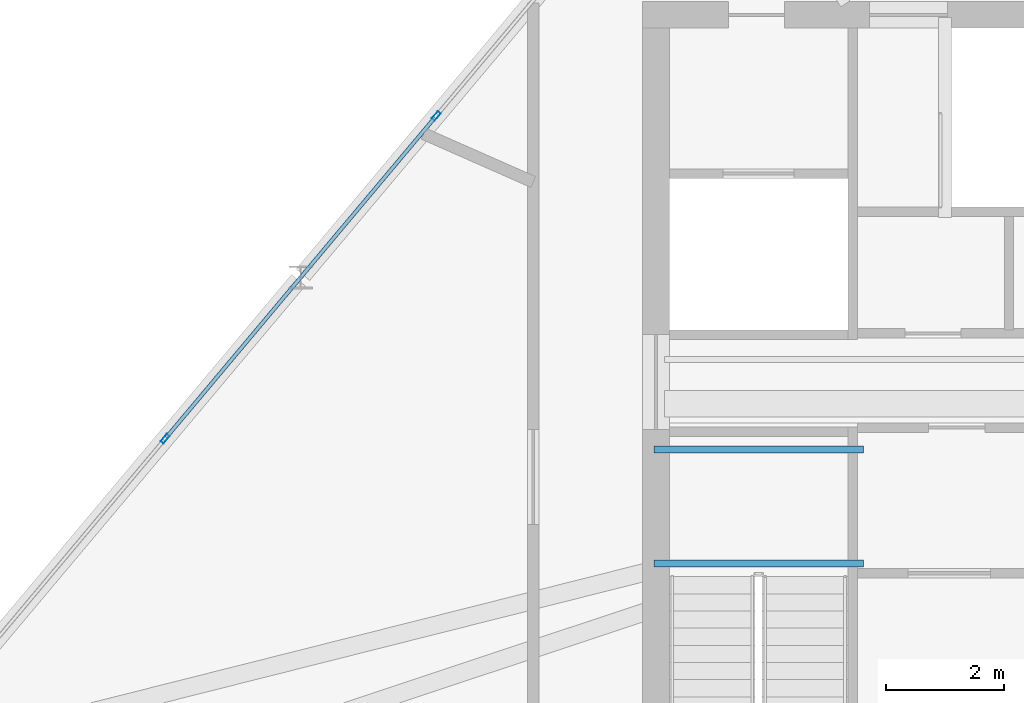
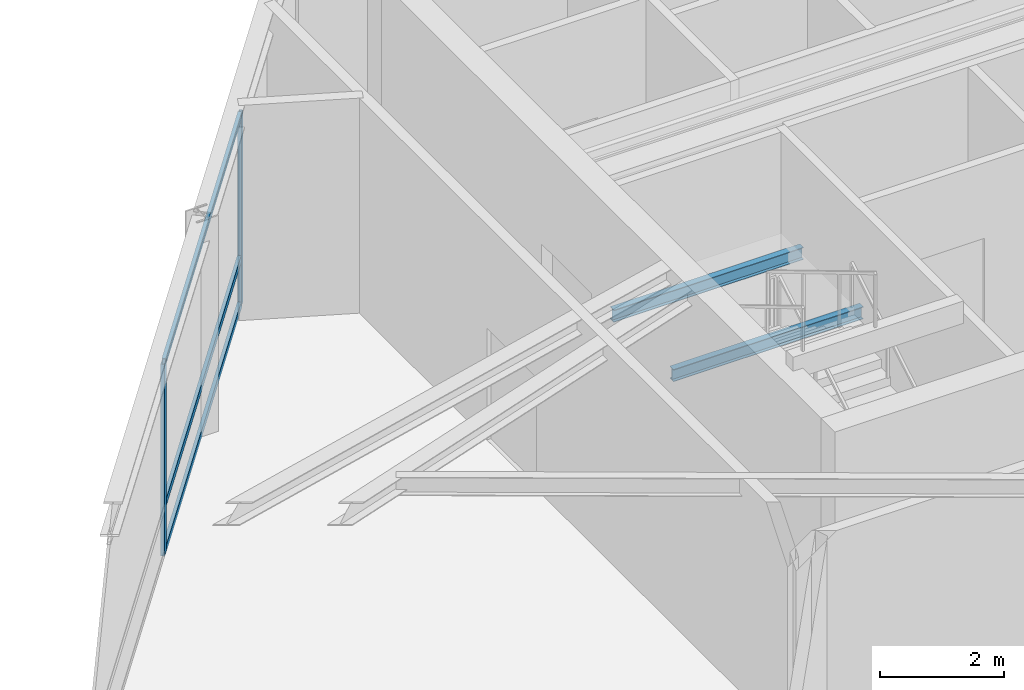
# One storey, part 6 of 23: 5 members, 2 beams, 1 element without a shape of its own.
"""IFC4 building model written with IfcOpenShell, lengths in metres."""

from ifc_helpers import new_model, si_unit, direction, frame, origin, origin_2d, place, context, subcontext, project, spatial, hollow_rectangle, i_section, extrude, source, transform, mapped, material, material_profile, profile_set, type_object, element, aggregate, save


model = new_model("IFC4")

# Units and contexts
model_context = context("Model", 3, precision=1e-05, world=origin(), true_north=direction((0.0, 1.0)))
body_context = subcontext(model_context, "Body", "Model", "MODEL_VIEW")
ifc_project = project(units=[si_unit("LENGTHUNIT", "METRE"), si_unit("AREAUNIT", "SQUARE_METRE"), si_unit("VOLUMEUNIT", "CUBIC_METRE"), si_unit("PLANEANGLEUNIT", "RADIAN"), si_unit("MASSUNIT", "GRAM", prefix="KILO")], contexts=[model_context])

# Site, building, storey
site_placement = place(None, origin())
site = spatial("IfcSite", under=ifc_project, at=site_placement, CompositionType="ELEMENT")
building_placement = place(site_placement, origin())
building = spatial("IfcBuilding", under=site, at=building_placement, Name="Olszyna Solenne Hotel", CompositionType="ELEMENT")
storey_placement = place(building_placement, frame((0.0, 0.0, 290.5)))
storey = spatial("IfcBuildingStorey", under=building, at=storey_placement, Name="L77", CompositionType="ELEMENT", Elevation=290.5)

# Curtain wall, members
ifc_material_1 = material(Name="Anodised bronze aluminium", Category="aluminium")
curtain_wall_type = type_object("IfcCurtainWallType", Name="CW-SYS-7", PredefinedType="NOTDEFINED", material=ifc_material_1)
curtain_wall_placement = place(storey_placement, origin())
curtain_wall = element("IfcCurtainWall", 1, at=curtain_wall_placement, inside=storey, type_object=curtain_wall_type, Name="Unitised curtain wall CW-SYS-7 CW-L77-02", PredefinedType="NOTDEFINED")
ifc_material_profile_1 = material_profile(ifc_material_1, hollow_rectangle(XDim=0.06494140625, YDim=0.159912109375, WallThickness=0.00390625, at=origin_2d()), Name="MULL 160x65x4", Category="load-bearing")
ifc_profile_set_1 = profile_set([ifc_material_profile_1], Name="Anodised bronze aluminium")
member_type_1 = type_object("IfcMemberType", Name="CW-M3", PredefinedType="MULLION", material=ifc_profile_set_1)
shared_shape_1 = source(origin(), body_context, "Body", "SweptSolid", [
    extrude(hollow_rectangle(XDim=0.06494140625, YDim=0.159912109375, WallThickness=0.00390625, at=origin_2d()), origin(), (0.0, 0.0, 1.0), 3.781982421875),
])
member_1_placement = place(storey_placement, frame((21.5791015625, 26.7587890625, 0.0), z_axis=(0.0, 0.0, 1.0), x_axis=(-0.765808018245, 0.643069264692, 0.0)))
member_1 = element("IfcMember", 2, at=member_1_placement, type_object=member_type_1, Name="Curtain-wall mullion CW-M3 CM-L77-02-02", PredefinedType="MULLION", context=body_context, shape_type="MappedRepresentation", body=[
    mapped(shared_shape_1, transform((0.0, 0.0, 0.0), x_axis=(1.0, 0.0, 0.0), y_axis=(0.0, 1.0, 0.0), z_axis=(0.0, 0.0, 1.0), scale=1.0)),
])
member_2_placement = place(storey_placement, frame((26.15966796875, 32.21337890625, 0.0), z_axis=(0.0, 0.0, 1.0), x_axis=(-0.765808018245, 0.643069264692, 0.0)))
member_2 = element("IfcMember", 3, at=member_2_placement, type_object=member_type_1, Name="Curtain-wall mullion CW-M3 CM-L77-02-03", PredefinedType="MULLION", context=body_context, shape_type="MappedRepresentation", body=[
    mapped(shared_shape_1, transform((0.0, 0.0, 0.0), x_axis=(1.0, 0.0, 0.0), y_axis=(0.0, 1.0, 0.0), z_axis=(0.0, 0.0, 1.0), scale=1.0)),
])
ifc_material_profile_2 = material_profile(ifc_material_1, hollow_rectangle(XDim=0.06494140625, YDim=0.139892578125, WallThickness=0.00390625, at=origin_2d()), Name="TRAN 140x65x4", Category="load-bearing")
ifc_profile_set_2 = profile_set([ifc_material_profile_2], Name="Anodised bronze aluminium")
member_type_2 = type_object("IfcMemberType", Name="CW-T2", PredefinedType="USERDEFINED", material=ifc_profile_set_2)
shared_shape_2 = source(origin(), body_context, "Body", "SweptSolid", [
    extrude(hollow_rectangle(XDim=0.06494140625, YDim=0.139892578125, WallThickness=0.00390625, at=origin_2d()), origin(), (0.0, 0.0, 1.0), 7.0576171875),
])
member_3_placement = place(storey_placement, frame((21.60009765625, 26.78369140625, 0.032470703125), z_axis=(0.643072011218, 0.765805711906, 0.0), x_axis=(-0.765805711906, 0.643072011218, 0.0)))
member_3 = element("IfcMember", 4, at=member_3_placement, type_object=member_type_2, Name="Curtain-wall transom CW-T2 CT-L77-02-04", ObjectType="TRANSOM", PredefinedType="USERDEFINED", context=body_context, shape_type="MappedRepresentation", body=[
    mapped(shared_shape_2, transform((0.0, 0.0, 0.0), x_axis=(1.0, 0.0, 0.0), y_axis=(0.0, 1.0, 0.0), z_axis=(0.0, 0.0, 1.0), scale=1.0)),
])
member_4_placement = place(storey_placement, frame((21.60009765625, 26.78369140625, 0.949951171875), z_axis=(0.643072011218, 0.765805711906, 0.0), x_axis=(-0.765805711906, 0.643072011218, 0.0)))
member_4 = element("IfcMember", 5, at=member_4_placement, type_object=member_type_2, Name="Curtain-wall transom CW-T2 CT-L77-02-05", ObjectType="TRANSOM", PredefinedType="USERDEFINED", context=body_context, shape_type="MappedRepresentation", body=[
    mapped(shared_shape_2, transform((0.0, 0.0, 0.0), x_axis=(1.0, 0.0, 0.0), y_axis=(0.0, 1.0, 0.0), z_axis=(0.0, 0.0, 1.0), scale=1.0)),
])
member_5_placement = place(storey_placement, frame((21.60009765625, 26.78369140625, 3.74951171875), z_axis=(0.643072011218, 0.765805711906, 0.0), x_axis=(-0.765805711906, 0.643072011218, 0.0)))
member_5 = element("IfcMember", 6, at=member_5_placement, type_object=member_type_2, Name="Curtain-wall transom CW-T2 CT-L77-02-06", ObjectType="TRANSOM", PredefinedType="USERDEFINED", context=body_context, shape_type="MappedRepresentation", body=[
    mapped(shared_shape_2, transform((0.0, 0.0, 0.0), x_axis=(1.0, 0.0, 0.0), y_axis=(0.0, 1.0, 0.0), z_axis=(0.0, 0.0, 1.0), scale=1.0)),
])
aggregate(curtain_wall, [member_1, member_2, member_3, member_4, member_5])

# Beams
ifc_material_2 = material(Name="Steel S355J2", Category="steel")
ifc_material_profile_3 = material_profile(ifc_material_2, i_section(OverallWidth=0.1201171875, OverallDepth=0.239990234375, WebThickness=0.006103515625, FlangeThickness=0.009765625, at=origin_2d()), Name="IPE 240", Category="load-bearing")
ifc_profile_set_3 = profile_set([ifc_material_profile_3], Name="Steel S355J2")
beam_type = type_object("IfcBeamType", Name="JS-03", PredefinedType="JOIST", material=ifc_profile_set_3)
shared_shape_3 = source(origin(), body_context, "Body", "SweptSolid", [
    extrude(i_section(OverallWidth=0.1201171875, OverallDepth=0.239990234375, WebThickness=0.006103515625, FlangeThickness=0.009765625, at=origin_2d()), origin(), (0.0, 0.0, 1.0), 3.539794921875),
])
for number, where, z_axis, x_axis, name in (
    (7, (33.3798828125, 24.64990234375, 1.925048828125), (-1.0, 0.0, 0.0), (0.0, -1.0, 0.0), "Stair landing support beam JS-03 SLB-ST1-0159"),
    (8, (33.3798828125, 26.580078125, 1.925048828125), (-1.0, 0.0, 0.0), (0.0, -1.0, 0.0), "Stair landing support beam JS-03 SLB-ST1-0160"),
):
    element("IfcBeam", number, at=place(storey_placement, frame(where, z_axis=z_axis, x_axis=x_axis)), inside=storey, type_object=beam_type, Name=name, PredefinedType="JOIST", context=body_context, shape_type="MappedRepresentation", body=[
        mapped(shared_shape_3, transform((0.0, 0.0, 0.0), x_axis=(1.0, 0.0, 0.0), y_axis=(0.0, 1.0, 0.0), z_axis=(0.0, 0.0, 1.0), scale=1.0)),
    ])

save(model, "model.ifc")
